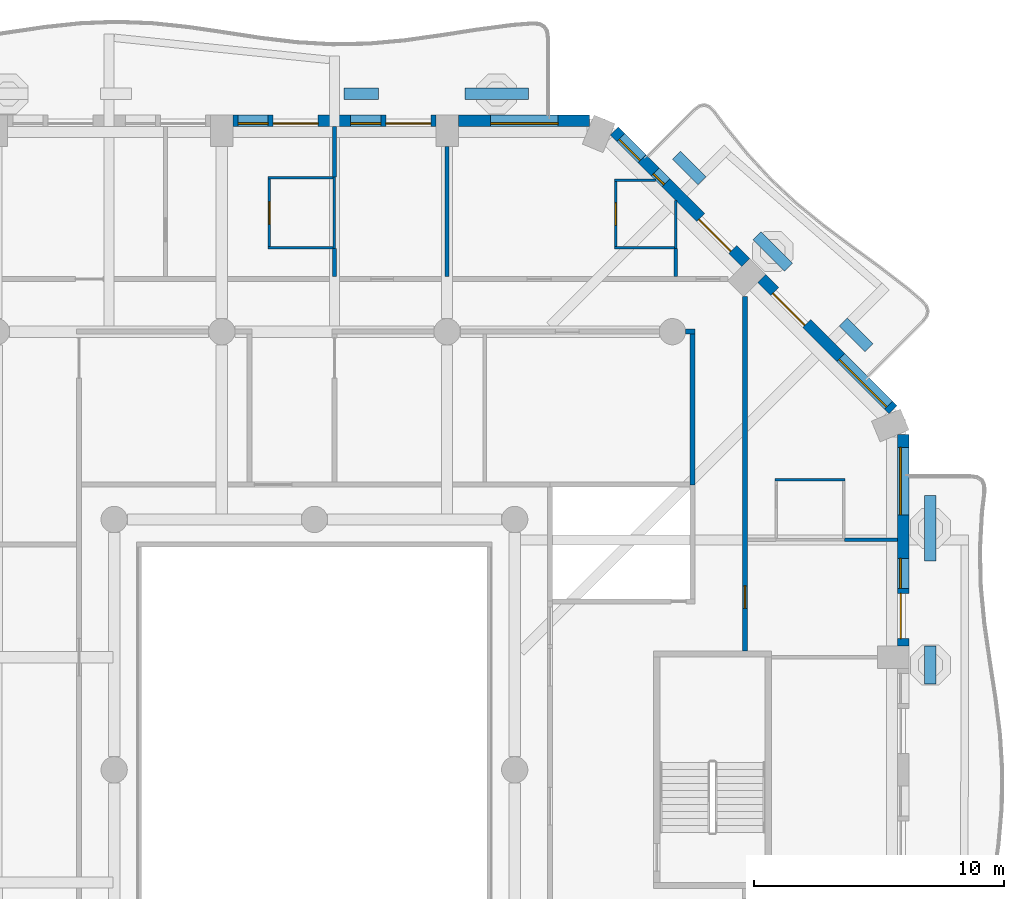
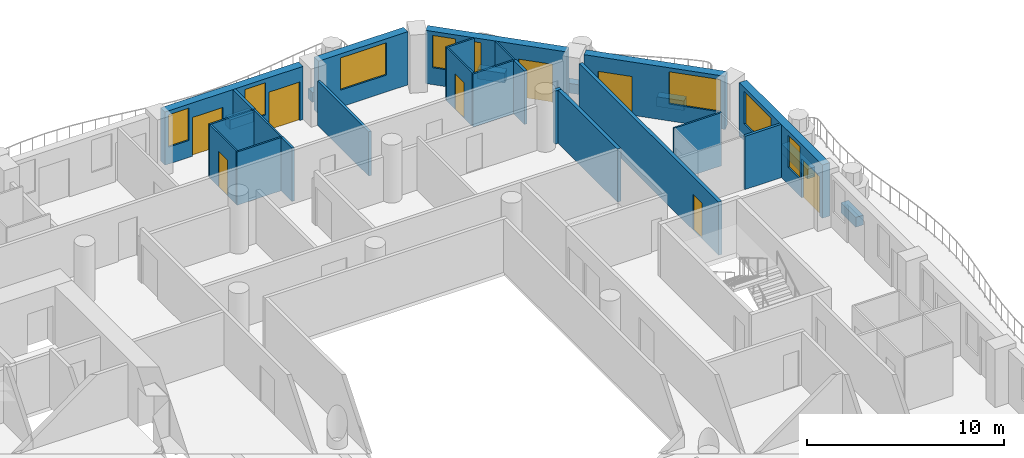
# One storey, part 9 of 19: 29 walls, 8 doors, 8 windows, 16 openings.
"""IFC4 building model written with IfcOpenShell, lengths in metres."""

from ifc_helpers import new_model, si_unit, direction, frame, frame_2d, origin, place, context, subcontext, project, spatial, rectangle, extrude, material, layer, layer_set, type_object, element, fill, save


model = new_model("IFC4")

# Units and contexts
model_context = context("Model", 3, precision=1e-05, world=origin(), true_north=direction((0.0, 1.0)))
body_context = subcontext(model_context, "Body", "Model", "MODEL_VIEW")
ifc_project = project(units=[si_unit("LENGTHUNIT", "METRE"), si_unit("AREAUNIT", "SQUARE_METRE"), si_unit("VOLUMEUNIT", "CUBIC_METRE"), si_unit("PLANEANGLEUNIT", "RADIAN"), si_unit("MASSUNIT", "GRAM", prefix="KILO")], contexts=[model_context])

# Site, building, storey
site_placement = place(None, origin())
site = spatial("IfcSite", under=ifc_project, at=site_placement, CompositionType="ELEMENT")
building_placement = place(site_placement, origin())
building = spatial("IfcBuilding", under=site, at=building_placement, Name="Cypress Arch Tower", CompositionType="ELEMENT")
storey_placement = place(building_placement, frame((0.0, 0.0, 141.89990234375)))
storey = spatial("IfcBuildingStorey", under=building, at=storey_placement, Name="L31", CompositionType="ELEMENT", Elevation=141.89990234375)

# Walls
ifc_material_1 = material(Name="Concrete C40/50, waterproofed", Category="concrete")
ifc_layer_1 = layer(ifc_material_1, 0.449951171875)
ifc_layer_set_1 = layer_set([ifc_layer_1], Name="Balcony planter wall PW450")
wall_type_1 = type_object("IfcWallType", Name="Balcony planter wall PW450", PredefinedType="SOLIDWALL", material=ifc_layer_set_1)
wall_1_placement = place(storey_placement, frame((25.60009765625, 3.42138671875, 0.0), z_axis=(0.0, 0.0, 1.0), x_axis=(0.0, 1.0, 0.0)))
element("IfcWall", 1, at=wall_1_placement, inside=storey, type_object=wall_type_1, Name="Balcony planter wall L31-A06.3", PredefinedType="SOLIDWALL", context=body_context, shape_type="SweptSolid", body=[
    extrude(rectangle(XDim=1.5224609375, YDim=0.449951171875, at=frame_2d((0.76123046875, 0.0))), origin(), (0.0, 0.0, 1.0), 0.60009765625),
])
wall_2_placement = place(storey_placement, frame((25.60009765625, 8.335693359375, 0.0), z_axis=(0.0, 0.0, 1.0), x_axis=(0.0, 1.0, 0.0)))
element("IfcWall", 2, at=wall_2_placement, inside=storey, type_object=wall_type_1, Name="Balcony planter wall L31-A06.4", PredefinedType="SOLIDWALL", context=body_context, shape_type="SweptSolid", body=[
    extrude(rectangle(XDim=2.6142578125, YDim=0.449951171875, at=frame_2d((1.30712890625, 0.0))), origin(), (0.0, 0.0, 1.0), 0.60009765625),
])
wall_3_placement = place(storey_placement, frame((23.150390625, 16.86376953125, 0.0), z_axis=(0.0, 0.0, 1.0), x_axis=(-0.707106781187, 0.707106781187, 0.0)))
element("IfcWall", 3, at=wall_3_placement, inside=storey, type_object=wall_type_1, Name="Balcony planter wall L31-A07.1", PredefinedType="SOLIDWALL", context=body_context, shape_type="SweptSolid", body=[
    extrude(rectangle(XDim=1.44482421875, YDim=0.449951171875, at=frame_2d((0.722412109375, 0.0))), origin(), (0.0, 0.0, 1.0), 0.60009765625),
])
wall_4_placement = place(storey_placement, frame((19.9365234375, 20.07763671875, 0.0), z_axis=(0.0, 0.0, 1.0), x_axis=(-0.707106781187, 0.707106781187, 0.0)))
element("IfcWall", 4, at=wall_4_placement, inside=storey, type_object=wall_type_1, Name="Balcony planter wall L31-A07.2", PredefinedType="SOLIDWALL", context=body_context, shape_type="SweptSolid", body=[
    extrude(rectangle(XDim=1.780517578125, YDim=0.449951171875, at=frame_2d((0.89013671875, 0.0))), origin(), (0.0, 0.0, 1.0), 0.60009765625),
])
wall_5_placement = place(storey_placement, frame((16.485595703125, 23.528564453125, 0.0), z_axis=(0.0, 0.0, 1.0), x_axis=(-0.707022305137, 0.707191247145, 0.0)))
element("IfcWall", 5, at=wall_5_placement, inside=storey, type_object=wall_type_1, Name="Balcony planter wall L31-A07.3", PredefinedType="SOLIDWALL", context=body_context, shape_type="SweptSolid", body=[
    extrude(rectangle(XDim=1.445068359375, YDim=0.449951171875, at=frame_2d((0.72265625, 0.0))), origin(), (0.0, 0.0, 1.0), 0.60009765625),
])
wall_6_placement = place(storey_placement, frame((9.550048828125, 27.0, 0.0), z_axis=(0.0, 0.0, 1.0), x_axis=(-1.0, 0.0, 0.0)))
element("IfcWall", 6, at=wall_6_placement, inside=storey, type_object=wall_type_1, Name="Balcony planter wall L31-A08.1", PredefinedType="SOLIDWALL", context=body_context, shape_type="SweptSolid", body=[
    extrude(rectangle(XDim=2.53759765625, YDim=0.449951171875, at=frame_2d((1.268798828125, 0.0))), origin(), (0.0, 0.0, 1.0), 0.60009765625),
])
wall_7_placement = place(storey_placement, frame((3.550048828125, 27.0, 0.0), z_axis=(0.0, 0.0, 1.0), x_axis=(-1.0, 0.0, 0.0)))
element("IfcWall", 7, at=wall_7_placement, inside=storey, type_object=wall_type_1, Name="Balcony planter wall L31-A08.2", PredefinedType="SOLIDWALL", context=body_context, shape_type="SweptSolid", body=[
    extrude(rectangle(XDim=1.375, YDim=0.449951171875, at=frame_2d((0.6875, 0.0))), origin(), (0.0, 0.0, 1.0), 0.60009765625),
])

# Wall, openings, door, windows
ifc_material_2 = material(Name="Brick (red buff blend)", Category="masonry")
ifc_layer_2 = layer(ifc_material_2, 0.449951171875)
ifc_layer_set_2 = layer_set([ifc_layer_2], Name="Brick pier and spandrel wall BW450")
wall_type_2 = type_object("IfcWallType", Name="Brick pier and spandrel wall BW450", PredefinedType="SOLIDWALL", material=ifc_layer_set_2)
wall_8_placement = place(storey_placement, frame((24.52490234375, 4.949951171875, 0.0), z_axis=(0.0, 0.0, 1.0), x_axis=(0.0, 1.0, 0.0)))
wall_8 = element("IfcWall", 8, at=wall_8_placement, inside=storey, type_object=wall_type_2, Name="Brick wall L31 A06.3", PredefinedType="SOLIDWALL", context=body_context, shape_type="SweptSolid", body=[
    extrude(rectangle(XDim=8.438720703125, YDim=0.449951171875, at=frame_2d((4.21923828125, 0.0))), origin(), (0.0, 0.0, 1.0), 3.300048828125),
])
opening_1_placement = place(wall_8_placement, frame((0.2939453125, 0.0, 0.0)))
opening_1 = element("IfcOpeningElement", 9, at=opening_1_placement, cuts=wall_8, Name="Opening D-L31-A06.3.1", PredefinedType="OPENING", context=body_context, shape_type="SweptSolid", body=[
    extrude(rectangle(XDim=1.800048828125, YDim=2.39990234375, at=frame_2d((0.89990234375, 1.199951171875))), frame((0.0, 0.23486328125, 0.0), z_axis=(0.0, -1.0, 0.0), x_axis=(1.0, 0.0, 0.0)), (0.0, 0.0, 1.0), 0.469970703125),
])
opening_2_placement = place(wall_8_placement, frame((2.2939453125, 0.0, 1.050048828125)))
opening_2 = element("IfcOpeningElement", 10, at=opening_2_placement, cuts=wall_8, Name="Opening W120HD", PredefinedType="OPENING", context=body_context, shape_type="SweptSolid", body=[
    extrude(rectangle(XDim=1.199951171875, YDim=2.0, at=frame_2d((0.60009765625, 1.0))), frame((0.0, 0.23486328125, 0.0), z_axis=(0.0, -1.0, 0.0), x_axis=(1.0, 0.0, 0.0)), (0.0, 0.0, 1.0), 0.469970703125),
])
opening_3_placement = place(wall_8_placement, frame((5.231689453125, 0.0, 1.050048828125)))
opening_3 = element("IfcOpeningElement", 11, at=opening_3_placement, cuts=wall_8, Name="Opening W270HD", PredefinedType="OPENING", context=body_context, shape_type="SweptSolid", body=[
    extrude(rectangle(XDim=2.699951171875, YDim=2.0, at=frame_2d((1.35009765625, 1.0))), frame((0.0, 0.23486328125, 0.0), z_axis=(0.0, -1.0, 0.0), x_axis=(1.0, 0.0, 0.0)), (0.0, 0.0, 1.0), 0.469970703125),
])
ifc_material_3 = material(Name="Anodised aluminium, bronze finish, laminated low-emissivity double glazing, large-missile impact rated", Category="aluminium")
door_type_1 = type_object("IfcDoorType", Name="Balcony sliding door 1800x2400", OperationType="SLIDING_TO_LEFT", PredefinedType="DOOR", material=ifc_material_3)
door_1_placement = place(opening_1_placement, origin())
door_1 = element("IfcDoor", 12, at=door_1_placement, inside=storey, type_object=door_type_1, Name="Balcony door L31 A06.3.1", OperationType="SLIDING_TO_LEFT", OverallHeight=2.39990234375, OverallWidth=1.800048828125, PredefinedType="DOOR", context=body_context, shape_type="SweptSolid", body=[
    extrude(rectangle(XDim=1.800048828125, YDim=2.39990234375, at=frame_2d((0.89990234375, 1.199951171875))), frame((0.0, 0.1298828125, 0.0), z_axis=(0.0, -1.0, 0.0), x_axis=(1.0, 0.0, 0.0)), (0.0, 0.0, 1.0), 0.050048828125),
])
fill(opening_1, door_1)
ifc_material_4 = material(Name="Anodised aluminium, bronze finish, laminated low-emissivity double glazing, large-missile impact rated", Category="aluminium")
window_type_1 = type_object("IfcWindowType", Name="Window Hotel 1200x2000 debris-rated", PartitioningType="SINGLE_PANEL", PredefinedType="WINDOW", material=ifc_material_4)
window_1_placement = place(opening_2_placement, origin())
window_1 = element("IfcWindow", 13, at=window_1_placement, inside=storey, type_object=window_type_1, Name="Window L31 A06.3.1", OverallHeight=2.0, OverallWidth=1.199951171875, PartitioningType="SINGLE_PANEL", PredefinedType="WINDOW", context=body_context, shape_type="SweptSolid", body=[
    extrude(rectangle(XDim=1.199951171875, YDim=2.0, at=frame_2d((0.60009765625, 1.0))), frame((0.0, 0.135009765625, 0.0), z_axis=(0.0, -1.0, 0.0), x_axis=(1.0, 0.0, 0.0)), (0.0, 0.0, 1.0), 0.06005859375),
])
fill(opening_2, window_1)
ifc_material_5 = material(Name="Anodised aluminium, bronze finish, laminated low-emissivity double glazing, large-missile impact rated", Category="aluminium")
window_type_2 = type_object("IfcWindowType", Name="Window Hotel 2700x2000 debris-rated", PartitioningType="SINGLE_PANEL", PredefinedType="WINDOW", material=ifc_material_5)
window_2_placement = place(opening_3_placement, origin())
window_2 = element("IfcWindow", 14, at=window_2_placement, inside=storey, type_object=window_type_2, Name="Window L31 A06.3.2", OverallHeight=2.0, OverallWidth=2.699951171875, PartitioningType="SINGLE_PANEL", PredefinedType="WINDOW", context=body_context, shape_type="SweptSolid", body=[
    extrude(rectangle(XDim=2.699951171875, YDim=2.0, at=frame_2d((1.35009765625, 1.0))), frame((0.0, 0.135009765625, 0.0), z_axis=(0.0, -1.0, 0.0), x_axis=(1.0, 0.0, 0.0)), (0.0, 0.0, 1.0), 0.06005859375),
])
fill(opening_3, window_2)

# Wall, openings, door, window
wall_9_placement = place(storey_placement, frame((24.11474609375, 14.379150390625, 0.0), z_axis=(0.0, 0.0, 1.0), x_axis=(-0.707106781187, 0.707106781187, 0.0)))
wall_9 = element("IfcWall", 15, at=wall_9_placement, inside=storey, type_object=wall_type_2, Name="Brick wall L31 A07.0", PredefinedType="SOLIDWALL", context=body_context, shape_type="SweptSolid", body=[
    extrude(rectangle(XDim=7.423828125, YDim=0.449951171875, at=frame_2d((3.7119140625, 0.0))), origin(), (0.0, 0.0, 1.0), 3.300048828125),
])
opening_4_placement = place(wall_9_placement, frame((0.253173828125, 0.0, 1.050048828125)))
opening_4 = element("IfcOpeningElement", 16, at=opening_4_placement, cuts=wall_9, Name="Opening W270HD", PredefinedType="OPENING", context=body_context, shape_type="SweptSolid", body=[
    extrude(rectangle(XDim=2.699951171875, YDim=2.0, at=frame_2d((1.35009765625, 1.0))), frame((0.0, 0.23486328125, 0.0), z_axis=(0.0, -1.0, 0.0), x_axis=(1.0, 0.0, 0.0)), (0.0, 0.0, 1.0), 0.469970703125),
])
opening_5_placement = place(wall_9_placement, frame((4.8837890625, 0.0, 0.0)))
opening_5 = element("IfcOpeningElement", 17, at=opening_5_placement, cuts=wall_9, Name="Opening D-L31-A07.0.2", PredefinedType="OPENING", context=body_context, shape_type="SweptSolid", body=[
    extrude(rectangle(XDim=1.800048828125, YDim=2.39990234375, at=frame_2d((0.89990234375, 1.199951171875))), frame((0.0, 0.23486328125, 0.0), z_axis=(0.0, -1.0, 0.0), x_axis=(1.0, 0.0, 0.0)), (0.0, 0.0, 1.0), 0.469970703125),
])
door_2_placement = place(opening_5_placement, origin())
door_2 = element("IfcDoor", 18, at=door_2_placement, inside=storey, type_object=door_type_1, Name="Balcony door L31 A07.0.2", OperationType="SLIDING_TO_LEFT", OverallHeight=2.39990234375, OverallWidth=1.800048828125, PredefinedType="DOOR", context=body_context, shape_type="SweptSolid", body=[
    extrude(rectangle(XDim=1.800048828125, YDim=2.39990234375, at=frame_2d((0.89990234375, 1.199951171875))), frame((0.0, 0.1298828125, 0.0), z_axis=(0.0, -1.0, 0.0), x_axis=(1.0, 0.0, 0.0)), (0.0, 0.0, 1.0), 0.050048828125),
])
fill(opening_5, door_2)
window_3_placement = place(opening_4_placement, origin())
window_3 = element("IfcWindow", 19, at=window_3_placement, inside=storey, type_object=window_type_2, Name="Window L31 A07.0.1", OverallHeight=2.0, OverallWidth=2.699951171875, PartitioningType="SINGLE_PANEL", PredefinedType="WINDOW", context=body_context, shape_type="SweptSolid", body=[
    extrude(rectangle(XDim=2.699951171875, YDim=2.0, at=frame_2d((1.35009765625, 1.0))), frame((0.0, 0.135009765625, 0.0), z_axis=(0.0, -1.0, 0.0), x_axis=(1.0, 0.0, 0.0)), (0.0, 0.0, 1.0), 0.06005859375),
])
fill(opening_4, window_3)

# Wall, openings, door, windows
wall_10_placement = place(storey_placement, frame((18.228759765625, 20.26513671875, 0.0), z_axis=(0.0, 0.0, 1.0), x_axis=(-0.707106781187, 0.707106781187, 0.0)))
wall_10 = element("IfcWall", 20, at=wall_10_placement, inside=storey, type_object=wall_type_2, Name="Brick wall L31 A07.1", PredefinedType="SOLIDWALL", context=body_context, shape_type="SweptSolid", body=[
    extrude(rectangle(XDim=7.423828125, YDim=0.449951171875, at=frame_2d((3.7119140625, 0.0))), origin(), (0.0, 0.0, 1.0), 3.300048828125),
])
opening_6_placement = place(wall_10_placement, frame((0.740234375, 0.0, 0.0)))
opening_6 = element("IfcOpeningElement", 21, at=opening_6_placement, cuts=wall_10, Name="Opening D-L31-A07.1.1", PredefinedType="OPENING", context=body_context, shape_type="SweptSolid", body=[
    extrude(rectangle(XDim=1.800048828125, YDim=2.39990234375, at=frame_2d((0.89990234375, 1.199951171875))), frame((0.0, 0.23486328125, 0.0), z_axis=(0.0, -1.0, 0.0), x_axis=(1.0, 0.0, 0.0)), (0.0, 0.0, 1.0), 0.469970703125),
])
opening_7_placement = place(wall_10_placement, frame((4.510498046875, 0.0, 1.050048828125)))
opening_7 = element("IfcOpeningElement", 22, at=opening_7_placement, cuts=wall_10, Name="Opening W060HD", PredefinedType="OPENING", context=body_context, shape_type="SweptSolid", body=[
    extrude(rectangle(XDim=0.60009765625, YDim=2.0, at=frame_2d((0.300048828125, 1.0))), frame((0.0, 0.23486328125, 0.0), z_axis=(0.0, -1.0, 0.0), x_axis=(1.0, 0.0, 0.0)), (0.0, 0.0, 1.0), 0.469970703125),
])
opening_8_placement = place(wall_10_placement, frame((5.860595703125, 0.0, 1.050048828125)))
opening_8 = element("IfcOpeningElement", 23, at=opening_8_placement, cuts=wall_10, Name="Opening W120HD", PredefinedType="OPENING", context=body_context, shape_type="SweptSolid", body=[
    extrude(rectangle(XDim=1.199951171875, YDim=2.0, at=frame_2d((0.60009765625, 1.0))), frame((0.0, 0.23486328125, 0.0), z_axis=(0.0, -1.0, 0.0), x_axis=(1.0, 0.0, 0.0)), (0.0, 0.0, 1.0), 0.469970703125),
])
door_3_placement = place(opening_6_placement, origin())
door_3 = element("IfcDoor", 24, at=door_3_placement, inside=storey, type_object=door_type_1, Name="Balcony door L31 A07.1.1", OperationType="SLIDING_TO_LEFT", OverallHeight=2.39990234375, OverallWidth=1.800048828125, PredefinedType="DOOR", context=body_context, shape_type="SweptSolid", body=[
    extrude(rectangle(XDim=1.800048828125, YDim=2.39990234375, at=frame_2d((0.89990234375, 1.199951171875))), frame((0.0, 0.1298828125, 0.0), z_axis=(0.0, -1.0, 0.0), x_axis=(1.0, 0.0, 0.0)), (0.0, 0.0, 1.0), 0.050048828125),
])
fill(opening_6, door_3)
window_4_placement = place(opening_8_placement, origin())
window_4 = element("IfcWindow", 25, at=window_4_placement, inside=storey, type_object=window_type_1, Name="Window L31 A07.1.2b", OverallHeight=2.0, OverallWidth=1.199951171875, PartitioningType="SINGLE_PANEL", PredefinedType="WINDOW", context=body_context, shape_type="SweptSolid", body=[
    extrude(rectangle(XDim=1.199951171875, YDim=2.0, at=frame_2d((0.60009765625, 1.0))), frame((0.0, 0.135009765625, 0.0), z_axis=(0.0, -1.0, 0.0), x_axis=(1.0, 0.0, 0.0)), (0.0, 0.0, 1.0), 0.06005859375),
])
fill(opening_8, window_4)
ifc_material_6 = material(Name="Anodised aluminium, bronze finish, laminated low-emissivity double glazing, large-missile impact rated", Category="aluminium")
window_type_3 = type_object("IfcWindowType", Name="Window Hotel 600x2000 debris-rated", PartitioningType="SINGLE_PANEL", PredefinedType="WINDOW", material=ifc_material_6)
window_5_placement = place(opening_7_placement, origin())
window_5 = element("IfcWindow", 26, at=window_5_placement, inside=storey, type_object=window_type_3, Name="Window L31 A07.1.2", OverallHeight=2.0, OverallWidth=0.60009765625, PartitioningType="SINGLE_PANEL", PredefinedType="WINDOW", context=body_context, shape_type="SweptSolid", body=[
    extrude(rectangle(XDim=0.60009765625, YDim=2.0, at=frame_2d((0.300048828125, 1.0))), frame((0.0, 0.135009765625, 0.0), z_axis=(0.0, -1.0, 0.0), x_axis=(1.0, 0.0, 0.0)), (0.0, 0.0, 1.0), 0.06005859375),
])
fill(opening_7, window_5)

# Wall, opening, window
wall_11_placement = place(storey_placement, frame((11.98876953125, 25.925048828125, 0.0), z_axis=(0.0, 0.0, 1.0), x_axis=(-1.0, 0.0, 0.0)))
wall_11 = element("IfcWall", 27, at=wall_11_placement, inside=storey, type_object=wall_type_2, Name="Brick wall L31 A08.0", PredefinedType="SOLIDWALL", context=body_context, shape_type="SweptSolid", body=[
    extrude(rectangle(XDim=5.23876953125, YDim=0.449951171875, at=frame_2d((2.619384765625, 0.0))), origin(), (0.0, 0.0, 1.0), 3.300048828125),
])
opening_9_placement = place(wall_11_placement, frame((1.250732421875, 0.0, 1.050048828125)))
opening_9 = element("IfcOpeningElement", 28, at=opening_9_placement, cuts=wall_11, Name="Opening W270HD", PredefinedType="OPENING", context=body_context, shape_type="SweptSolid", body=[
    extrude(rectangle(XDim=2.699951171875, YDim=2.0, at=frame_2d((1.35009765625, 1.0))), frame((0.0, 0.23486328125, 0.0), z_axis=(0.0, -1.0, 0.0), x_axis=(1.0, 0.0, 0.0)), (0.0, 0.0, 1.0), 0.469970703125),
])
window_6_placement = place(opening_9_placement, origin())
window_6 = element("IfcWindow", 29, at=window_6_placement, inside=storey, type_object=window_type_2, Name="Window L31 A08.0.1", OverallHeight=2.0, OverallWidth=2.699951171875, PartitioningType="SINGLE_PANEL", PredefinedType="WINDOW", context=body_context, shape_type="SweptSolid", body=[
    extrude(rectangle(XDim=2.699951171875, YDim=2.0, at=frame_2d((1.35009765625, 1.0))), frame((0.0, 0.135009765625, 0.0), z_axis=(0.0, -1.0, 0.0), x_axis=(1.0, 0.0, 0.0)), (0.0, 0.0, 1.0), 0.06005859375),
])
fill(opening_9, window_6)

# Wall, openings, doors, windows
wall_12_placement = place(storey_placement, frame((5.85009765625, 25.925048828125, 0.0), z_axis=(0.0, 0.0, 1.0), x_axis=(-1.0, 0.0, 0.0)))
wall_12 = element("IfcWall", 30, at=wall_12_placement, inside=storey, type_object=wall_type_2, Name="Brick wall L31 A08.1", PredefinedType="SOLIDWALL", context=body_context, shape_type="SweptSolid", body=[
    extrude(rectangle(XDim=8.10009765625, YDim=0.449951171875, at=frame_2d((4.050048828125, 0.0))), origin(), (0.0, 0.0, 1.0), 3.300048828125),
])
opening_10_placement = place(wall_12_placement, frame((0.199951171875, 0.0, 0.0)))
opening_10 = element("IfcOpeningElement", 31, at=opening_10_placement, cuts=wall_12, Name="Opening D-L31-A08.1.1", PredefinedType="OPENING", context=body_context, shape_type="SweptSolid", body=[
    extrude(rectangle(XDim=1.800048828125, YDim=2.39990234375, at=frame_2d((0.89990234375, 1.199951171875))), frame((0.0, 0.23486328125, 0.0), z_axis=(0.0, -1.0, 0.0), x_axis=(1.0, 0.0, 0.0)), (0.0, 0.0, 1.0), 0.469970703125),
])
opening_11_placement = place(wall_12_placement, frame((2.199951171875, 0.0, 1.050048828125)))
opening_11 = element("IfcOpeningElement", 32, at=opening_11_placement, cuts=wall_12, Name="Opening W120HD", PredefinedType="OPENING", context=body_context, shape_type="SweptSolid", body=[
    extrude(rectangle(XDim=1.199951171875, YDim=2.0, at=frame_2d((0.60009765625, 1.0))), frame((0.0, 0.23486328125, 0.0), z_axis=(0.0, -1.0, 0.0), x_axis=(1.0, 0.0, 0.0)), (0.0, 0.0, 1.0), 0.469970703125),
])
opening_12_placement = place(wall_12_placement, frame((4.699951171875, 0.0, 0.0)))
opening_12 = element("IfcOpeningElement", 33, at=opening_12_placement, cuts=wall_12, Name="Opening D-L31-A08.1.2", PredefinedType="OPENING", context=body_context, shape_type="SweptSolid", body=[
    extrude(rectangle(XDim=1.800048828125, YDim=2.39990234375, at=frame_2d((0.89990234375, 1.199951171875))), frame((0.0, 0.23486328125, 0.0), z_axis=(0.0, -1.0, 0.0), x_axis=(1.0, 0.0, 0.0)), (0.0, 0.0, 1.0), 0.469970703125),
])
opening_13_placement = place(wall_12_placement, frame((6.699951171875, 0.0, 1.050048828125)))
opening_13 = element("IfcOpeningElement", 34, at=opening_13_placement, cuts=wall_12, Name="Opening W120HD", PredefinedType="OPENING", context=body_context, shape_type="SweptSolid", body=[
    extrude(rectangle(XDim=1.199951171875, YDim=2.0, at=frame_2d((0.60009765625, 1.0))), frame((0.0, 0.23486328125, 0.0), z_axis=(0.0, -1.0, 0.0), x_axis=(1.0, 0.0, 0.0)), (0.0, 0.0, 1.0), 0.469970703125),
])
door_4_placement = place(opening_10_placement, origin())
door_4 = element("IfcDoor", 35, at=door_4_placement, inside=storey, type_object=door_type_1, Name="Balcony door L31 A08.1.1", OperationType="SLIDING_TO_LEFT", OverallHeight=2.39990234375, OverallWidth=1.800048828125, PredefinedType="DOOR", context=body_context, shape_type="SweptSolid", body=[
    extrude(rectangle(XDim=1.800048828125, YDim=2.39990234375, at=frame_2d((0.89990234375, 1.199951171875))), frame((0.0, 0.1298828125, 0.0), z_axis=(0.0, -1.0, 0.0), x_axis=(1.0, 0.0, 0.0)), (0.0, 0.0, 1.0), 0.050048828125),
])
fill(opening_10, door_4)
door_5_placement = place(opening_12_placement, origin())
door_5 = element("IfcDoor", 36, at=door_5_placement, inside=storey, type_object=door_type_1, Name="Balcony door L31 A08.1.2", OperationType="SLIDING_TO_LEFT", OverallHeight=2.39990234375, OverallWidth=1.800048828125, PredefinedType="DOOR", context=body_context, shape_type="SweptSolid", body=[
    extrude(rectangle(XDim=1.800048828125, YDim=2.39990234375, at=frame_2d((0.89990234375, 1.199951171875))), frame((0.0, 0.1298828125, 0.0), z_axis=(0.0, -1.0, 0.0), x_axis=(1.0, 0.0, 0.0)), (0.0, 0.0, 1.0), 0.050048828125),
])
fill(opening_12, door_5)
window_7_placement = place(opening_11_placement, origin())
window_7 = element("IfcWindow", 37, at=window_7_placement, inside=storey, type_object=window_type_1, Name="Window L31 A08.1.1", OverallHeight=2.0, OverallWidth=1.199951171875, PartitioningType="SINGLE_PANEL", PredefinedType="WINDOW", context=body_context, shape_type="SweptSolid", body=[
    extrude(rectangle(XDim=1.199951171875, YDim=2.0, at=frame_2d((0.60009765625, 1.0))), frame((0.0, 0.135009765625, 0.0), z_axis=(0.0, -1.0, 0.0), x_axis=(1.0, 0.0, 0.0)), (0.0, 0.0, 1.0), 0.06005859375),
])
fill(opening_11, window_7)
window_8_placement = place(opening_13_placement, origin())
window_8 = element("IfcWindow", 38, at=window_8_placement, inside=storey, type_object=window_type_1, Name="Window L31 A08.1.2", OverallHeight=2.0, OverallWidth=1.199951171875, PartitioningType="SINGLE_PANEL", PredefinedType="WINDOW", context=body_context, shape_type="SweptSolid", body=[
    extrude(rectangle(XDim=1.199951171875, YDim=2.0, at=frame_2d((0.60009765625, 1.0))), frame((0.0, 0.135009765625, 0.0), z_axis=(0.0, -1.0, 0.0), x_axis=(1.0, 0.0, 0.0)), (0.0, 0.0, 1.0), 0.06005859375),
])
fill(opening_13, window_8)

# Walls
ifc_material_7 = material(Name="Concrete blockwork, plastered, rated", Category="masonry")
ifc_layer_3 = layer(ifc_material_7, 0.199951171875)
ifc_layer_set_3 = layer_set([ifc_layer_3], Name="Corridor wall FW200")
wall_type_3 = type_object("IfcWallType", Name="Corridor wall FW200", PredefinedType="PARTITIONING", material=ifc_layer_set_3)
wall_13_placement = place(storey_placement, frame((15.824951171875, 17.5, 0.0), z_axis=(0.0, 0.0, 1.0), x_axis=(1.0, 0.0, 0.0)))
element("IfcWall", 39, at=wall_13_placement, inside=storey, type_object=wall_type_3, Name="Corridor wall", PredefinedType="PARTITIONING", context=body_context, shape_type="SweptSolid", body=[
    extrude(rectangle(XDim=0.375, YDim=0.199951171875, at=frame_2d((0.1875, 0.0))), origin(), (0.0, 0.0, 1.0), 3.300048828125),
])
wall_14_placement = place(storey_placement, frame((16.10009765625, 11.3798828125, 0.0), z_axis=(0.0, 0.0, 1.0), x_axis=(0.0, 1.0, 0.0)))
element("IfcWall", 40, at=wall_14_placement, inside=storey, type_object=wall_type_3, Name="Corridor wall", PredefinedType="PARTITIONING", context=body_context, shape_type="SweptSolid", body=[
    extrude(rectangle(XDim=6.02001953125, YDim=0.199951171875, at=frame_2d((3.010009765625, 0.0))), origin(), (0.0, 0.0, 1.0), 3.300048828125),
])

# Wall, opening, door
wall_15_placement = place(storey_placement, frame((18.199951171875, 4.75, 0.0), z_axis=(0.0, 0.0, 1.0), x_axis=(0.0, 1.0, 0.0)))
wall_15 = element("IfcWall", 41, at=wall_15_placement, inside=storey, type_object=wall_type_3, Name="Corridor wall", PredefinedType="PARTITIONING", context=body_context, shape_type="SweptSolid", body=[
    extrude(rectangle(XDim=14.16357421875, YDim=0.199951171875, at=frame_2d((7.081787109375, 0.0))), origin(), (0.0, 0.0, 1.0), 3.300048828125),
])
opening_14_placement = place(wall_15_placement, frame((1.699951171875, 0.0, 0.0)))
opening_14 = element("IfcOpeningElement", 42, at=opening_14_placement, cuts=wall_15, Name="Opening D05", PredefinedType="OPENING", context=body_context, shape_type="SweptSolid", body=[
    extrude(rectangle(XDim=0.89990234375, YDim=2.199951171875, at=frame_2d((0.449951171875, 1.10009765625))), frame((0.0, 0.10986328125, 0.0), z_axis=(0.0, -1.0, 0.0), x_axis=(1.0, 0.0, 0.0)), (0.0, 0.0, 1.0), 0.219970703125),
])
ifc_material_8 = material(Name="Timber flush door", Category="wood")
door_type_2 = type_object("IfcDoorType", Name="Service door D05 900x2200", OperationType="SINGLE_SWING_LEFT", PredefinedType="DOOR", material=ifc_material_8)
door_6_placement = place(opening_14_placement, origin())
door_6 = element("IfcDoor", 43, at=door_6_placement, inside=storey, type_object=door_type_2, Name="Service door", OperationType="SINGLE_SWING_RIGHT", OverallHeight=2.199951171875, OverallWidth=0.89990234375, PredefinedType="DOOR", context=body_context, shape_type="SweptSolid", body=[
    extrude(rectangle(XDim=0.89990234375, YDim=2.199951171875, at=frame_2d((0.449951171875, 1.10009765625))), frame((0.0, 0.02490234375, 0.0), z_axis=(0.0, -1.0, 0.0), x_axis=(1.0, 0.0, 0.0)), (0.0, 0.0, 1.0), 0.050048828125),
])
fill(opening_14, door_6)

# Walls
ifc_material_9 = material(Name="Blockwork, plastered both sides", Category="masonry")
ifc_layer_4 = layer(ifc_material_9, 0.14990234375)
ifc_layer_set_4 = layer_set([ifc_layer_4], Name="Partition PW150")
wall_type_4 = type_object("IfcWallType", Name="Partition PW150", PredefinedType="PARTITIONING", material=ifc_layer_set_4)
wall_16_placement = place(storey_placement, frame((1.800048828125, 19.699951171875, 0.0), z_axis=(0.0, 0.0, 1.0), x_axis=(0.0, 1.0, 0.0)))
element("IfcWall", 44, at=wall_16_placement, inside=storey, type_object=wall_type_4, Name="Partition", PredefinedType="PARTITIONING", context=body_context, shape_type="SweptSolid", body=[
    extrude(rectangle(XDim=1.130126953125, YDim=0.14990234375, at=frame_2d((0.56494140625, 0.0))), origin(), (0.0, 0.0, 1.0), 3.300048828125),
])
wall_17_placement = place(storey_placement, frame((1.800048828125, 23.669921875, 0.0), z_axis=(0.0, 0.0, 1.0), x_axis=(0.0, 1.0, 0.0)))
element("IfcWall", 45, at=wall_17_placement, inside=storey, type_object=wall_type_4, Name="Partition", PredefinedType="PARTITIONING", context=body_context, shape_type="SweptSolid", body=[
    extrude(rectangle(XDim=2.030029296875, YDim=0.14990234375, at=frame_2d((1.01513671875, 0.0))), origin(), (0.0, 0.0, 1.0), 3.300048828125),
])
wall_18_placement = place(storey_placement, frame((6.300048828125, 19.699951171875, 0.0), z_axis=(0.0, 0.0, 1.0), x_axis=(0.0, 1.0, 0.0)))
element("IfcWall", 46, at=wall_18_placement, inside=storey, type_object=wall_type_4, Name="Partition", PredefinedType="PARTITIONING", context=body_context, shape_type="SweptSolid", body=[
    extrude(rectangle(XDim=5.199951171875, YDim=0.14990234375, at=frame_2d((2.60009765625, 0.0))), origin(), (0.0, 0.0, 1.0), 2.75),
])
wall_19_placement = place(storey_placement, frame((15.431884765625, 19.699951171875, 0.0), z_axis=(0.0, 0.0, 1.0), x_axis=(0.0, 1.0, 0.0)))
element("IfcWall", 47, at=wall_19_placement, inside=storey, type_object=wall_type_4, Name="Partition", PredefinedType="PARTITIONING", context=body_context, shape_type="SweptSolid", body=[
    extrude(rectangle(XDim=1.130126953125, YDim=0.14990234375, at=frame_2d((0.56494140625, 0.0))), origin(), (0.0, 0.0, 1.0), 3.300048828125),
])
wall_20_placement = place(storey_placement, frame((22.169921875, 9.18994140625, 0.0), z_axis=(0.0, 0.0, 1.0), x_axis=(1.0, 0.0, 0.0)))
element("IfcWall", 48, at=wall_20_placement, inside=storey, type_object=wall_type_4, Name="Partition", PredefinedType="PARTITIONING", context=body_context, shape_type="SweptSolid", body=[
    extrude(rectangle(XDim=2.130126953125, YDim=0.14990234375, at=frame_2d((1.06494140625, 0.0))), origin(), (0.0, 0.0, 1.0), 3.300048828125),
])

# Wall, opening, door
ifc_material_10 = material(Name="Moisture resistant board on steel studs, tiled", Category="steel")
ifc_layer_5 = layer(ifc_material_10, 0.10009765625)
ifc_layer_set_5 = layer_set([ifc_layer_5], Name="Wet wall PW100")
wall_type_5 = type_object("IfcWallType", Name="Wet wall PW100", PredefinedType="PARTITIONING", material=ifc_layer_set_5)
wall_21_placement = place(storey_placement, frame((-0.7958984375, 20.89990234375, 0.0), z_axis=(0.0, 0.0, 1.0), x_axis=(0.0, 1.0, 0.0)))
wall_21 = element("IfcWall", 49, at=wall_21_placement, inside=storey, type_object=wall_type_5, Name="Wet wall", PredefinedType="PARTITIONING", context=body_context, shape_type="SweptSolid", body=[
    extrude(rectangle(XDim=2.7001953125, YDim=0.10009765625, at=frame_2d((1.35009765625, 0.0))), origin(), (0.0, 0.0, 1.0), 3.300048828125),
])
opening_15_placement = place(wall_21_placement, frame((0.89990234375, 0.0, 0.0)))
opening_15 = element("IfcOpeningElement", 50, at=opening_15_placement, cuts=wall_21, Name="Opening D03", PredefinedType="OPENING", context=body_context, shape_type="SweptSolid", body=[
    extrude(rectangle(XDim=0.89990234375, YDim=2.199951171875, at=frame_2d((0.449951171875, 1.10009765625))), frame((0.0, 0.06005859375, 0.0), z_axis=(0.0, -1.0, 0.0), x_axis=(1.0, 0.0, 0.0)), (0.0, 0.0, 1.0), 0.1201171875),
])
ifc_material_11 = material(Name="Timber flush door, moisture resistant", Category="wood")
door_type_3 = type_object("IfcDoorType", Name="Bathroom door D03 900x2200", OperationType="SINGLE_SWING_LEFT", PredefinedType="DOOR", material=ifc_material_11)
door_7_placement = place(opening_15_placement, origin())
door_7 = element("IfcDoor", 51, at=door_7_placement, inside=storey, type_object=door_type_3, Name="Bathroom door", OperationType="SINGLE_SWING_LEFT", OverallHeight=2.199951171875, OverallWidth=0.89990234375, PredefinedType="DOOR", context=body_context, shape_type="SweptSolid", body=[
    extrude(rectangle(XDim=0.89990234375, YDim=2.199951171875, at=frame_2d((0.449951171875, 1.10009765625))), frame((0.0, 0.02490234375, 0.0), z_axis=(0.0, -1.0, 0.0), x_axis=(1.0, 0.0, 0.0)), (0.0, 0.0, 1.0), 0.050048828125),
])
fill(opening_15, door_7)

# Walls
for number, where, z_axis, x_axis, name in (
    (52, (-0.845947265625, 20.85009765625, 0.0), (0.0, 0.0, 1.0), (1.0, 0.0, 0.0), "Wet wall"),
    (53, (-0.845947265625, 23.64990234375, 0.0), (0.0, 0.0, 1.0), (1.0, 0.0, 0.0), "Wet wall"),
):
    element("IfcWall", number, at=place(storey_placement, frame(where, z_axis=z_axis, x_axis=x_axis)), inside=storey, type_object=wall_type_5, Name=name, PredefinedType="PARTITIONING", context=body_context, shape_type="SweptSolid", body=[
        extrude(rectangle(XDim=2.595947265625, YDim=0.10009765625, at=frame_2d((1.2978515625, 0.0))), origin(), (0.0, 0.0, 1.0), 3.300048828125),
    ])
wall_22_placement = place(storey_placement, frame((1.800048828125, 20.830078125, 0.0), z_axis=(0.0, 0.0, 1.0), x_axis=(0.0, 1.0, 0.0)))
element("IfcWall", 54, at=wall_22_placement, inside=storey, type_object=wall_type_5, Name="Wet wall", PredefinedType="PARTITIONING", context=body_context, shape_type="SweptSolid", body=[
    extrude(rectangle(XDim=2.83984375, YDim=0.10009765625, at=frame_2d((1.419921875, 0.0))), origin(), (0.0, 0.0, 1.0), 3.300048828125),
])

# Wall, opening, door
wall_23_placement = place(storey_placement, frame((13.035888671875, 20.89990234375, 0.0), z_axis=(0.0, 0.0, 1.0), x_axis=(0.0, 1.0, 0.0)))
wall_23 = element("IfcWall", 55, at=wall_23_placement, inside=storey, type_object=wall_type_5, Name="Wet wall", PredefinedType="PARTITIONING", context=body_context, shape_type="SweptSolid", body=[
    extrude(rectangle(XDim=2.60009765625, YDim=0.10009765625, at=frame_2d((1.300048828125, 0.0))), origin(), (0.0, 0.0, 1.0), 3.300048828125),
])
opening_16_placement = place(wall_23_placement, frame((0.85009765625, 0.0, 0.0)))
opening_16 = element("IfcOpeningElement", 56, at=opening_16_placement, cuts=wall_23, Name="Opening D03", PredefinedType="OPENING", context=body_context, shape_type="SweptSolid", body=[
    extrude(rectangle(XDim=0.89990234375, YDim=2.199951171875, at=frame_2d((0.449951171875, 1.10009765625))), frame((0.0, 0.06005859375, 0.0), z_axis=(0.0, -1.0, 0.0), x_axis=(1.0, 0.0, 0.0)), (0.0, 0.0, 1.0), 0.1201171875),
])
door_8_placement = place(opening_16_placement, origin())
door_8 = element("IfcDoor", 57, at=door_8_placement, inside=storey, type_object=door_type_3, Name="Bathroom door", OperationType="SINGLE_SWING_LEFT", OverallHeight=2.199951171875, OverallWidth=0.89990234375, PredefinedType="DOOR", context=body_context, shape_type="SweptSolid", body=[
    extrude(rectangle(XDim=0.89990234375, YDim=2.199951171875, at=frame_2d((0.449951171875, 1.10009765625))), frame((0.0, 0.02490234375, 0.0), z_axis=(0.0, -1.0, 0.0), x_axis=(1.0, 0.0, 0.0)), (0.0, 0.0, 1.0), 0.050048828125),
])
fill(opening_16, door_8)

# Walls
wall_24_placement = place(storey_placement, frame((12.986083984375, 20.85009765625, 0.0), z_axis=(0.0, 0.0, 1.0), x_axis=(1.0, 0.0, 0.0)))
element("IfcWall", 58, at=wall_24_placement, inside=storey, type_object=wall_type_5, Name="Wet wall", PredefinedType="PARTITIONING", context=body_context, shape_type="SweptSolid", body=[
    extrude(rectangle(XDim=2.39599609375, YDim=0.10009765625, at=frame_2d((1.197998046875, 0.0))), origin(), (0.0, 0.0, 1.0), 3.300048828125),
])
wall_25_placement = place(storey_placement, frame((12.986083984375, 23.550048828125, 0.0), z_axis=(0.0, 0.0, 1.0), x_axis=(1.0, 0.0, 0.0)))
element("IfcWall", 59, at=wall_25_placement, inside=storey, type_object=wall_type_5, Name="Wet wall", PredefinedType="PARTITIONING", context=body_context, shape_type="SweptSolid", body=[
    extrude(rectangle(XDim=1.6396484375, YDim=0.10009765625, at=frame_2d((0.81982421875, 0.0))), origin(), (0.0, 0.0, 1.0), 3.300048828125),
])
wall_26_placement = place(storey_placement, frame((15.431884765625, 20.830078125, 0.0), z_axis=(0.0, 0.0, 1.0), x_axis=(0.0, 1.0, 0.0)))
element("IfcWall", 60, at=wall_26_placement, inside=storey, type_object=wall_type_5, Name="Wet wall", PredefinedType="PARTITIONING", context=body_context, shape_type="SweptSolid", body=[
    extrude(rectangle(XDim=1.91357421875, YDim=0.10009765625, at=frame_2d((0.956787109375, 0.0))), origin(), (0.0, 0.0, 1.0), 3.300048828125),
])
wall_27_placement = place(storey_placement, frame((19.39990234375, 11.5859375, 0.0), z_axis=(0.0, 0.0, 1.0), x_axis=(1.0, 0.0, 0.0)))
element("IfcWall", 61, at=wall_27_placement, inside=storey, type_object=wall_type_5, Name="Wet wall", PredefinedType="PARTITIONING", context=body_context, shape_type="SweptSolid", body=[
    extrude(rectangle(XDim=2.800048828125, YDim=0.10009765625, at=frame_2d((1.39990234375, 0.0))), origin(), (0.0, 0.0, 1.0), 3.300048828125),
])

save(model, "model.ifc")
